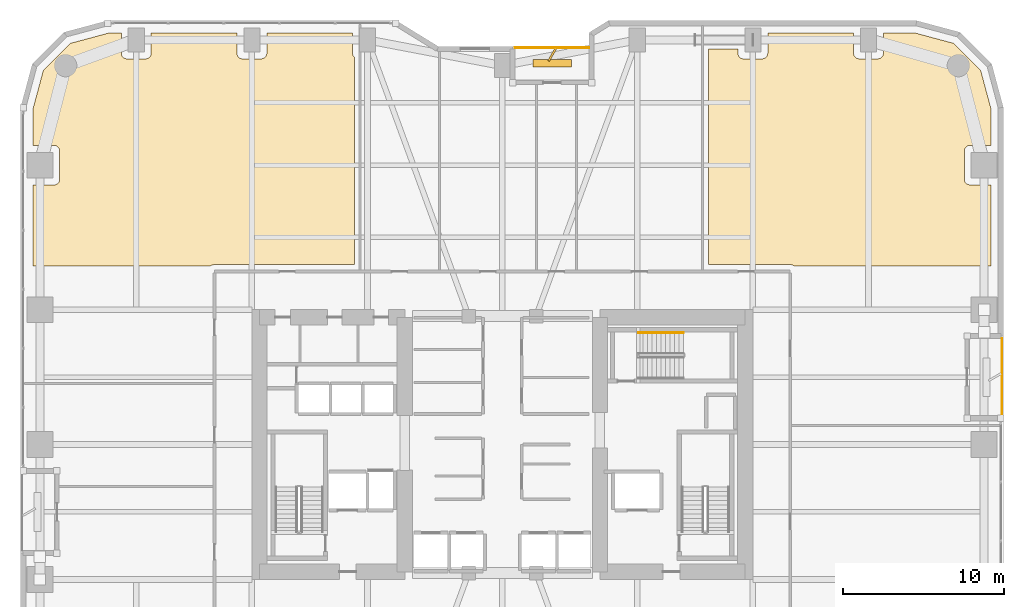
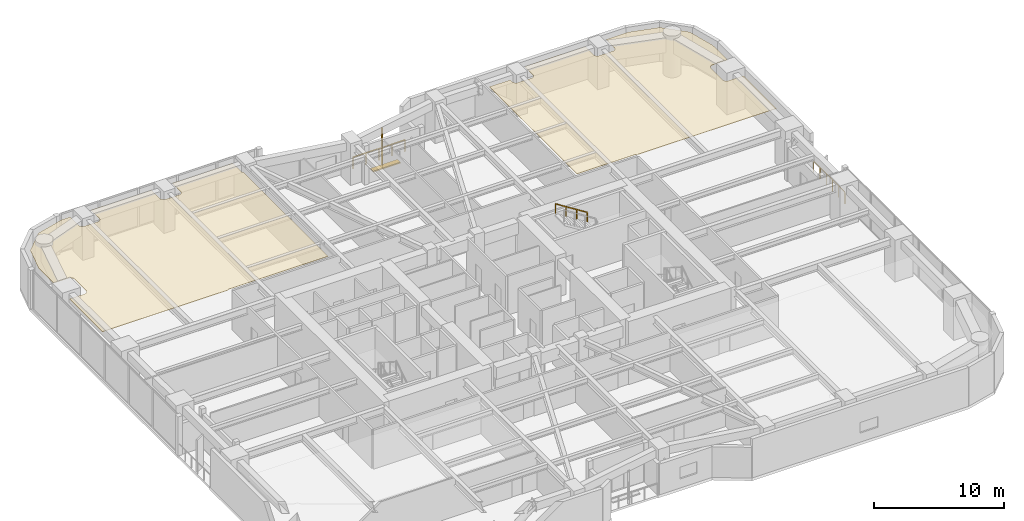
# One storey, part 28 of 28: 3 railings, 2 coverings, 2 shading devices.
"""IFC4 building model written with IfcOpenShell, lengths in metres."""

from ifc_helpers import new_model, si_unit, direction, frame, origin, origin_2d, place, context, subcontext, project, spatial, polyline, rectangle, outline, extrude, material, layer, layer_set, type_object, element, save


model = new_model("IFC4")

# Units and contexts
model_context = context("Model", 3, precision=1e-05, world=origin(), true_north=direction((0.0, 1.0)))
body_context = subcontext(model_context, "Body", "Model", "MODEL_VIEW")
ifc_project = project(units=[si_unit("LENGTHUNIT", "METRE"), si_unit("AREAUNIT", "SQUARE_METRE"), si_unit("VOLUMEUNIT", "CUBIC_METRE"), si_unit("PLANEANGLEUNIT", "RADIAN"), si_unit("MASSUNIT", "GRAM", prefix="KILO")], contexts=[model_context])

# Site, building, storey
site_placement = place(None, origin())
site = spatial("IfcSite", under=ifc_project, at=site_placement, CompositionType="ELEMENT")
building_placement = place(site_placement, origin())
building = spatial("IfcBuilding", under=site, at=building_placement, Name="Kiyonajd Concourse Tower", CompositionType="ELEMENT")
storey_placement = place(building_placement, frame((0.0, 0.0, 33.300048828125)))
storey = spatial("IfcBuildingStorey", under=building, at=storey_placement, Name="L09", CompositionType="ELEMENT", Elevation=33.300048828125)

# Coverings
ifc_material_1 = material(Name="Natural Oak Acoustic Timber Veneer", Category="wood")
ifc_layer = layer(ifc_material_1, 0.0400390625)
ifc_layer_set = layer_set([ifc_layer], Name="Natural Oak Acoustic Timber Veneer")
covering_type = type_object("IfcCoveringType", Name="CV-CLG-ACST", PredefinedType="CEILING", material=ifc_layer_set)
covering_1_placement = place(storey_placement, frame((0.0, 0.0, 3.4599609375)))
element("IfcCovering", 1, at=covering_1_placement, inside=storey, type_object=covering_type, Name="L09-47 Room Acoustic Ceiling", PredefinedType="CEILING", context=body_context, shape_type="SweptSolid", body=[
    extrude(outline(polyline([(21.097900390625, 60.986083984375), (23.5009765625, 61.6298828125), (24.27001953125, 61.6298828125), (24.27197265625, 60.3359375), (24.297119140625, 60.236083984375), (24.3291015625, 60.176025390625), (24.373046875, 60.123046875), (24.426025390625, 60.0791015625), (24.486083984375, 60.047119140625), (24.5859375, 60.02197265625), (25.81396484375, 60.02197265625), (25.9140625, 60.047119140625), (26.001953125, 60.09912109375), (26.051025390625, 60.14794921875), (26.089111328125, 60.205078125), (26.123046875, 60.302001953125), (26.1298828125, 60.3701171875), (26.1298828125, 61.6298828125), (31.469970703125, 61.6298828125), (31.471923828125, 60.3359375), (31.4970703125, 60.236083984375), (31.529052734375, 60.176025390625), (31.572998046875, 60.123046875), (31.6259765625, 60.0791015625), (31.68603515625, 60.047119140625), (31.785888671875, 60.02197265625), (32.97998046875, 60.02001953125), (33.048095703125, 60.027099609375), (33.114013671875, 60.047119140625), (33.201904296875, 60.09912109375), (33.2509765625, 60.14794921875), (33.2890625, 60.205078125), (33.322998046875, 60.302001953125), (33.330078125, 60.3701171875), (33.330078125, 61.6298828125), (38.669921875, 61.6298828125), (38.672119140625, 60.3359375), (38.68505859375, 60.26806640625), (38.7109375, 60.205078125), (38.780029296875, 60.115966796875), (38.780029296875, 47.2099609375), (30.074951171875, 47.2099609375), (29.945068359375, 47.18994140625), (29.882080078125, 47.1640625), (29.826904296875, 47.1298828125), (18.77001953125, 47.1298828125), (18.77001953125, 52.169921875), (20.080078125, 52.169921875), (20.14794921875, 52.177001953125), (20.2451171875, 52.2109375), (20.302001953125, 52.2490234375), (20.35107421875, 52.298095703125), (20.388916015625, 52.35498046875), (20.4150390625, 52.41796875), (20.429931640625, 52.52001953125), (20.429931640625, 54.280029296875), (20.4150390625, 54.382080078125), (20.388916015625, 54.445068359375), (20.35107421875, 54.501953125), (20.302001953125, 54.551025390625), (20.2451171875, 54.589111328125), (20.181884765625, 54.614990234375), (20.114013671875, 54.6279296875), (18.77001953125, 54.6298828125), (18.77001953125, 56.89892578125), (19.4140625, 59.302001953125), (21.097900390625, 60.986083984375)])), origin(), (0.0, 0.0, 1.0), 0.0400390625),
])
covering_2_placement = place(storey_placement, frame((0.0, 0.0, 3.4599609375)))
element("IfcCovering", 2, at=covering_2_placement, inside=storey, type_object=covering_type, Name="L09-52 Room Acoustic Ceiling", PredefinedType="CEILING", context=body_context, shape_type="SweptSolid", body=[
    extrude(outline(polyline([(66.173095703125, 47.1298828125), (66.117919921875, 47.1640625), (66.054931640625, 47.18994140625), (65.925048828125, 47.2099609375), (60.830078125, 47.2099609375), (60.830078125, 60.6298828125), (62.669921875, 60.6298828125), (62.672119140625, 60.3359375), (62.697021484375, 60.236083984375), (62.72900390625, 60.176025390625), (62.77294921875, 60.123046875), (62.825927734375, 60.0791015625), (62.885986328125, 60.047119140625), (62.951904296875, 60.027099609375), (63.02001953125, 60.02001953125), (64.179931640625, 60.02001953125), (64.281982421875, 60.034912109375), (64.344970703125, 60.06103515625), (64.427001953125, 60.123046875), (64.489013671875, 60.205078125), (64.52294921875, 60.302001953125), (64.530029296875, 60.3701171875), (64.530029296875, 61.6298828125), (69.8701171875, 61.6298828125), (69.8701171875, 60.3701171875), (69.876953125, 60.302001953125), (69.89697265625, 60.236083984375), (69.928955078125, 60.176025390625), (69.998046875, 60.09912109375), (70.0859375, 60.047119140625), (70.18603515625, 60.02197265625), (71.4140625, 60.02197265625), (71.513916015625, 60.047119140625), (71.573974609375, 60.0791015625), (71.626953125, 60.123046875), (71.68896484375, 60.205078125), (71.715087890625, 60.26806640625), (71.72802734375, 60.3359375), (71.72998046875, 61.6298828125), (73.698974609375, 61.6298828125), (76.10205078125, 60.986083984375), (77.785888671875, 59.302001953125), (78.429931640625, 56.89892578125), (78.429931640625, 54.6298828125), (77.1201171875, 54.6298828125), (77.052001953125, 54.623046875), (76.986083984375, 54.60302734375), (76.926025390625, 54.571044921875), (76.84912109375, 54.501953125), (76.81103515625, 54.445068359375), (76.784912109375, 54.382080078125), (76.77001953125, 54.280029296875), (76.77001953125, 52.52001953125), (76.784912109375, 52.41796875), (76.81103515625, 52.35498046875), (76.84912109375, 52.298095703125), (76.89794921875, 52.2490234375), (76.955078125, 52.2109375), (77.01806640625, 52.18505859375), (77.0859375, 52.172119140625), (78.429931640625, 52.169921875), (78.429931640625, 47.1298828125), (66.173095703125, 47.1298828125)])), origin(), (0.0, 0.0, 1.0), 0.0400390625),
])

# Railings
ifc_material_2 = material(Name="Thermally Broken Anodised Aluminium", Category="aluminium")
railing_type_1 = type_object("IfcRailingType", Name="RL-GRD-LOG", PredefinedType="GUARDRAIL", material=ifc_material_2)
railing_1_placement = place(storey_placement, frame((53.39990234375, 60.719970703125, 0.0)))
element("IfcRailing", 3, at=railing_1_placement, inside=storey, type_object=railing_type_1, Name="L09 Engawa Loggia Perimeter Guard LOG-N", PredefinedType="GUARDRAIL", context=body_context, shape_type="SweptSolid", body=[
    extrude(rectangle(XDim=0.048095703125, YDim=0.048095703125, at=origin_2d()), frame((0.0, 0.0, 1.076171875), z_axis=(-1.0, 0.0, 0.0), x_axis=(0.0, -1.0, 0.0)), (0.0, 0.0, 1.0), 4.599853515625),
    extrude(rectangle(XDim=0.0419921875, YDim=0.0419921875, at=origin_2d()), origin(), (0.0, 0.0, 1.0), 1.052001953125),
    extrude(rectangle(XDim=0.0419921875, YDim=0.0419921875, at=origin_2d()), frame((-1.14990234375, 0.0, 0.0)), (0.0, 0.0, 1.0), 1.052001953125),
    extrude(rectangle(XDim=0.0419921875, YDim=0.0419921875, at=origin_2d()), frame((-2.2998046875, 0.0, 0.0)), (0.0, 0.0, 1.0), 1.052001953125),
    extrude(rectangle(XDim=0.0419921875, YDim=0.0419921875, at=origin_2d()), frame((-3.449951171875, 0.0, 0.0)), (0.0, 0.0, 1.0), 1.052001953125),
    extrude(rectangle(XDim=0.0419921875, YDim=0.0419921875, at=origin_2d()), frame((-4.599853515625, 0.0, 0.0)), (0.0, 0.0, 1.0), 1.052001953125),
])
railing_2_placement = place(storey_placement, frame((79.1201171875, 37.800048828125, 0.0)))
element("IfcRailing", 4, at=railing_2_placement, inside=storey, type_object=railing_type_1, Name="L09 Engawa Loggia Perimeter Guard LOG-E", PredefinedType="GUARDRAIL", context=body_context, shape_type="SweptSolid", body=[
    extrude(rectangle(XDim=0.048095703125, YDim=0.048095703125, at=origin_2d()), frame((0.0, 0.0, 1.076171875), z_axis=(0.0, 1.0, 0.0), x_axis=(-1.0, 0.0, 0.0)), (0.0, 0.0, 1.0), 4.800048828125),
    extrude(rectangle(XDim=0.0419921875, YDim=0.0419921875, at=origin_2d()), origin(), (0.0, 0.0, 1.0), 1.052001953125),
    extrude(rectangle(XDim=0.0419921875, YDim=0.0419921875, at=origin_2d()), frame((0.0, 0.9599609375, 0.0)), (0.0, 0.0, 1.0), 1.052001953125),
    extrude(rectangle(XDim=0.0419921875, YDim=0.0419921875, at=origin_2d()), frame((0.0, 1.919921875, 0.0)), (0.0, 0.0, 1.0), 1.052001953125),
    extrude(rectangle(XDim=0.0419921875, YDim=0.0419921875, at=origin_2d()), frame((0.0, 2.880126953125, 0.0)), (0.0, 0.0, 1.0), 1.052001953125),
    extrude(rectangle(XDim=0.0419921875, YDim=0.0419921875, at=origin_2d()), frame((0.0, 3.840087890625, 0.0)), (0.0, 0.0, 1.0), 1.052001953125),
    extrude(rectangle(XDim=0.0419921875, YDim=0.0419921875, at=origin_2d()), frame((0.0, 4.800048828125, 0.0)), (0.0, 0.0, 1.0), 1.052001953125),
])
ifc_material_3 = material(Name="Brushed Stainless Steel Cab Assembly", Category="steel")
railing_type_2 = type_object("IfcRailingType", Name="RL-HND-900", PredefinedType="HANDRAIL", material=ifc_material_3)
railing_3_placement = place(storey_placement, frame((59.280029296875, 42.969970703125, 2.127197265625)))
element("IfcRailing", 5, at=railing_3_placement, inside=storey, type_object=railing_type_2, Name="L09 ST3 stair handrail 2", PredefinedType="HANDRAIL", context=body_context, shape_type="SweptSolid", body=[
    extrude(rectangle(XDim=0.048095703125, YDim=0.048095703125, at=origin_2d()), frame((0.0, 0.0, 0.8759765625), z_axis=(-0.844908973607, 0.0, 0.534910110503), x_axis=(0.0, -1.0, 0.0)), (0.0, 0.0, 1.0), 3.31396484375),
    extrude(rectangle(XDim=0.0419921875, YDim=0.0419921875, at=origin_2d()), origin(), (0.0, 0.0, 1.0), 0.851806640625),
    extrude(rectangle(XDim=0.0419921875, YDim=0.0419921875, at=origin_2d()), frame((-0.933349609375, 0.0, 0.5908203125)), (0.0, 0.0, 1.0), 0.851806640625),
    extrude(rectangle(XDim=0.0419921875, YDim=0.0419921875, at=origin_2d()), frame((-1.86669921875, 0.0, 1.181884765625)), (0.0, 0.0, 1.0), 0.851806640625),
    extrude(rectangle(XDim=0.0419921875, YDim=0.0419921875, at=origin_2d()), frame((-2.800048828125, 0.0, 1.772705078125)), (0.0, 0.0, 1.0), 0.851806640625),
])

# Shading devices
ifc_material_4 = material(Name="Precast concrete C50/60", Category="concrete")
shading_device_type_1 = type_object("IfcShadingDeviceType", Name="SH-FIN-900", PredefinedType="USERDEFINED", material=ifc_material_4)
shading_device_1_placement = place(storey_placement, frame((51.10009765625, 60.27001953125, 0.0), z_axis=(0.0, 0.0, 1.0), x_axis=(0.5, 0.866025403784, 0.0)))
element("IfcShadingDevice", 6, at=shading_device_1_placement, inside=storey, type_object=shading_device_type_1, Name="L09 Angled Koshi Solar Fin LOG-N", ObjectType="FIN", PredefinedType="USERDEFINED", context=body_context, shape_type="SweptSolid", body=[
    extrude(rectangle(XDim=0.89990234375, YDim=0.1201171875, at=origin_2d()), origin(), (0.0, 0.0, 1.0), 3.0),
])
shading_device_type_2 = type_object("IfcShadingDeviceType", Name="SH-LVR-600", PredefinedType="JALOUSIE", material=ifc_material_2)
shading_device_2_placement = place(storey_placement, frame((51.10009765625, 59.75, 0.0), z_axis=(0.0, 0.0, 1.0), x_axis=(1.0, 0.0, 0.0)))
element("IfcShadingDevice", 7, at=shading_device_2_placement, inside=storey, type_object=shading_device_type_2, Name="L09 Loggia Threshold Louver LOG-N", PredefinedType="JALOUSIE", context=body_context, shape_type="SweptSolid", body=[
    extrude(rectangle(XDim=2.39990234375, YDim=0.449951171875, at=origin_2d()), origin(), (0.0, 0.0, 1.0), 0.10009765625),
])

save(model, "model.ifc")
